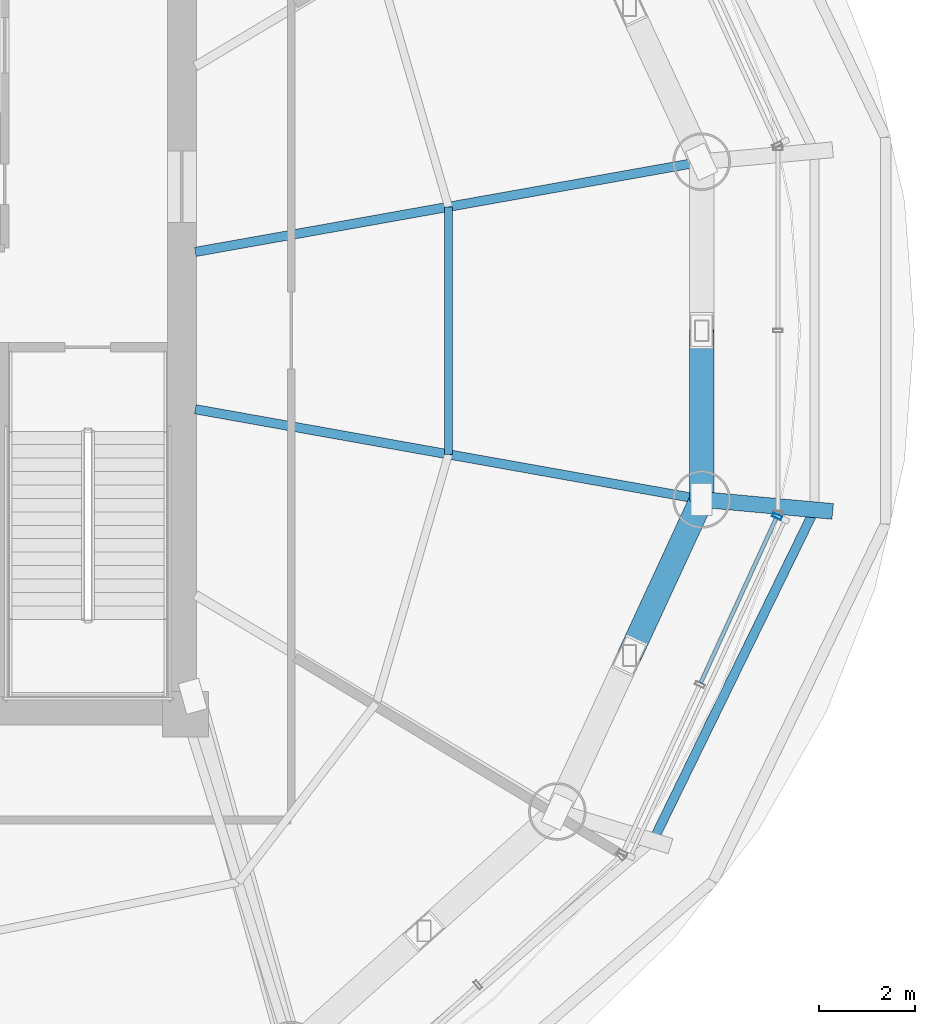
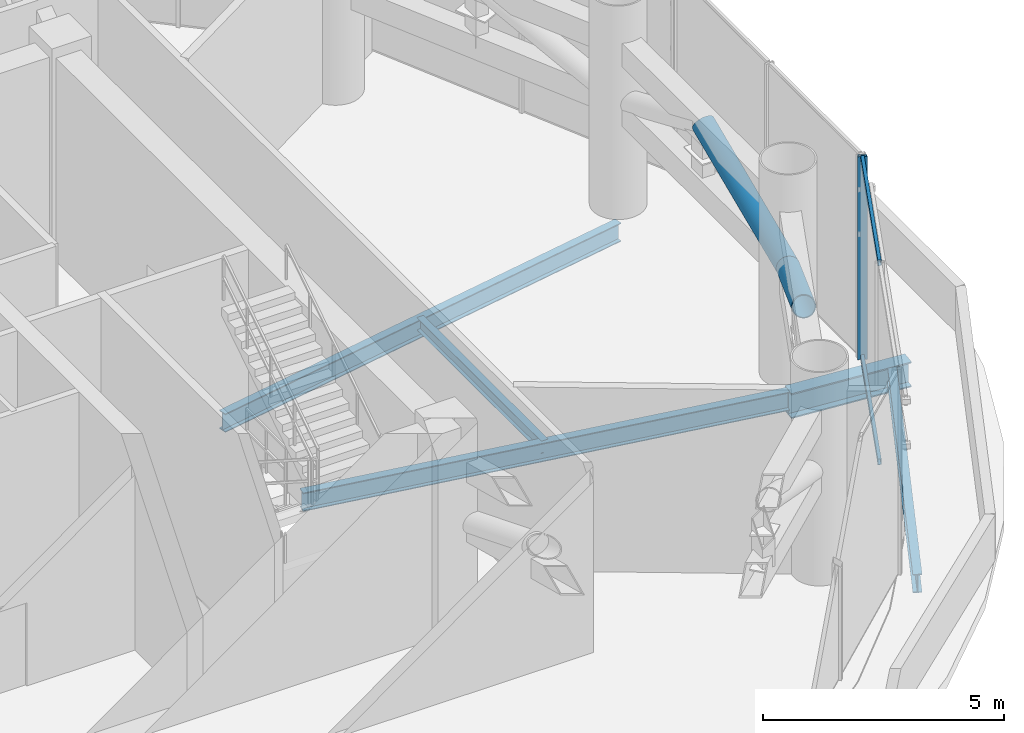
# One storey, part 11 of 25: 5 beams, 5 members, 1 element without a shape of its own.
"""IFC4 building model written with IfcOpenShell, lengths in metres."""

from ifc_helpers import new_model, si_unit, direction, frame, origin, origin_2d, place, context, subcontext, project, spatial, hollow_rectangle, hollow_circle, i_section, extrude, source, transform, mapped, material, material_profile, profile_set, type_object, element, aggregate, save


model = new_model("IFC4")

# Units and contexts
model_context = context("Model", 3, precision=1e-05, world=origin(), true_north=direction((-0.2419218956, 0.970295726276)))
body_context = subcontext(model_context, "Body", "Model", "MODEL_VIEW")
ifc_project = project(units=[si_unit("LENGTHUNIT", "METRE"), si_unit("AREAUNIT", "SQUARE_METRE"), si_unit("VOLUMEUNIT", "CUBIC_METRE"), si_unit("PLANEANGLEUNIT", "RADIAN"), si_unit("MASSUNIT", "GRAM", prefix="KILO")], contexts=[model_context])

# Site, building, storey
site_placement = place(None, origin())
site = spatial("IfcSite", under=ifc_project, at=site_placement, CompositionType="ELEMENT")
building_placement = place(site_placement, origin())
building = spatial("IfcBuilding", under=site, at=building_placement, Name="Cobrevalo Terracotta Tower", CompositionType="ELEMENT")
storey_placement = place(building_placement, frame((0.0, 0.0, 185.800048828125)))
storey = spatial("IfcBuildingStorey", under=building, at=storey_placement, Name="L49", CompositionType="ELEMENT", Elevation=185.800048828125)

# Beams
ifc_material_1 = material(Name="Steel S355", Category="steel")
ifc_material_profile_1 = material_profile(ifc_material_1, i_section(OverallWidth=0.194091796875, OverallDepth=0.468994140625, WebThickness=0.011474609375, FlangeThickness=0.0205078125, at=origin_2d()), Name="W 460x106")
ifc_profile_set_1 = profile_set([ifc_material_profile_1], Name="Steel S355")
beam_type_1 = type_object("IfcBeamType", Name="Structural Beam W 460x106 (Steel S355)", PredefinedType="BEAM", material=ifc_profile_set_1)
for number, where, z_axis, x_axis, name in (
    (1, (57.762939453125, 30.3212890625, -0.6845703125), (-0.984495741673, -0.175408479352, 0.0), (0.175408479352, -0.984495741673, 0.0), "L49 radial floor girder 01"),
    (2, (57.762939453125, 23.278564453125, -0.6845703125), (-0.984491810085, 0.175430544306, 0.0), (-0.175430544306, -0.984491810085, 0.0), "L49 radial floor girder 16"),
):
    element("IfcBeam", number, at=place(storey_placement, frame(where, z_axis=z_axis, x_axis=x_axis)), inside=storey, type_object=beam_type_1, Name=name, PredefinedType="BEAM", context=body_context, shape_type="SweptSolid", body=[
        extrude(i_section(OverallWidth=0.194091796875, OverallDepth=0.468994140625, WebThickness=0.011474609375, FlangeThickness=0.0205078125, at=origin_2d()), origin(), (0.0, 0.0, 1.0), 10.72412109375),
    ])
ifc_material_profile_2 = material_profile(ifc_material_1, i_section(OverallWidth=0.3291015625, OverallDepth=0.635009765625, WebThickness=0.017822265625, FlangeThickness=0.031005859375, at=origin_2d()), Name="W 610x241")
ifc_profile_set_2 = profile_set([ifc_material_profile_2], Name="Steel S355")
beam_type_2 = type_object("IfcBeamType", Name="Structural Beam W 610x241 (Steel S355)", PredefinedType="BEAM", material=ifc_profile_set_2)
beam_1_placement = place(storey_placement, frame((60.4951171875, 23.029541015625, -0.767578125), z_axis=(-0.995872026245, 0.090768427019, 0.0), x_axis=(-0.090768427019, -0.995872026245, 0.0)))
element("IfcBeam", 3, at=beam_1_placement, inside=storey, type_object=beam_type_2, Name="L49 setback step-link girder 16", PredefinedType="BEAM", context=body_context, shape_type="SweptSolid", body=[
    extrude(i_section(OverallWidth=0.3291015625, OverallDepth=0.635009765625, WebThickness=0.017822265625, FlangeThickness=0.031005859375, at=origin_2d()), origin(), (0.0, 0.0, 1.0), 2.743408203125),
])
ifc_material_profile_3 = material_profile(ifc_material_1, i_section(OverallWidth=0.1650390625, OverallDepth=0.31005859375, WebThickness=0.005859375, FlangeThickness=0.009765625, at=origin_2d()), Name="W 310x38.7")
ifc_profile_set_3 = profile_set([ifc_material_profile_3], Name="Steel S355")
beam_type_3 = type_object("IfcBeamType", Name="Structural Joist W 310x38.7 (Steel S355)", PredefinedType="JOIST", material=ifc_profile_set_3)
beam_2_placement = place(storey_placement, frame((52.48388671875, 24.21923828125, -0.60498046875), z_axis=(0.0, 1.0, 0.0), x_axis=(-1.0, 0.0, 0.0)))
element("IfcBeam", 4, at=beam_2_placement, inside=storey, type_object=beam_type_3, Name="L49 circumferential secondary floor joist 16", PredefinedType="JOIST", context=body_context, shape_type="SweptSolid", body=[
    extrude(i_section(OverallWidth=0.1650390625, OverallDepth=0.31005859375, WebThickness=0.005859375, FlangeThickness=0.009765625, at=origin_2d()), origin(), (0.0, 0.0, 1.0), 5.16162109375),
])
ifc_material_profile_4 = material_profile(ifc_material_1, i_section(OverallWidth=0.194091796875, OverallDepth=0.468994140625, WebThickness=0.011474609375, FlangeThickness=0.0205078125, at=origin_2d()), Name="W 460x106")
ifc_profile_set_4 = profile_set([ifc_material_profile_4], Name="Steel S355")
beam_type_4 = type_object("IfcBeamType", Name="Structural Spandrel W 460x106 (Steel S355)", PredefinedType="SPANDREL", material=ifc_profile_set_4)
beam_3_placement = place(storey_placement, frame((56.749755859375, 16.160888671875, -0.6845703125), z_axis=(0.438380418332, 0.898789524206, 0.0), x_axis=(-0.898789524206, 0.438380418332, 0.0)))
element("IfcBeam", 5, at=beam_3_placement, inside=storey, type_object=beam_type_4, Name="L49 perimeter ring spandrel 15", PredefinedType="SPANDREL", context=body_context, shape_type="SweptSolid", body=[
    extrude(i_section(OverallWidth=0.194091796875, OverallDepth=0.468994140625, WebThickness=0.011474609375, FlangeThickness=0.0205078125, at=origin_2d()), origin(), (0.0, 0.0, 1.0), 7.680419921875),
])

# Members
ifc_material_profile_5 = material_profile(ifc_material_1, hollow_circle(Radius=0.25390625, WallThickness=0.02001953125, at=origin_2d()), Name="CHS 508x20")
ifc_profile_set_5 = profile_set([ifc_material_profile_5], Name="Steel S355")
member_type_1 = type_object("IfcMemberType", Name="Steel Brace CHS 508x20 (Steel S355)", PredefinedType="BRACE", material=ifc_profile_set_5)
shared_shape_1 = source(origin(), body_context, "Body", "SweptSolid", [
    extrude(hollow_circle(Radius=0.25390625, WallThickness=0.02001953125, at=origin_2d()), origin(), (0.0, 0.0, 1.0), 3.82958984375),
])
member_1_placement = place(storey_placement, frame((57.762939453125, 23.278564453125, 2.64990234375), z_axis=(0.0, 0.919530386777, 0.393018915313), x_axis=(-1.0, 0.0, 0.0)))
element("IfcMember", 6, at=member_1_placement, inside=storey, type_object=member_type_1, Name="L49 belt truss diagonal brace 16-D1", PredefinedType="BRACE", context=body_context, shape_type="MappedRepresentation", body=[
    mapped(shared_shape_1, transform((0.0, 0.0, 0.0), scale=1.0)),
])
shared_shape_2 = source(origin(), body_context, "Body", "SweptSolid", [
    extrude(hollow_circle(Radius=0.25390625, WallThickness=0.02001953125, at=origin_2d()), origin(), (0.0, 0.0, 1.0), 3.887451171875),
])
member_2_placement = place(storey_placement, frame((57.762939453125, 23.278564453125, 2.64990234375), z_axis=(-0.386994119467, -0.836854372266, 0.387182529457), x_axis=(0.907648125928, -0.419731913844, 0.0)))
element("IfcMember", 7, at=member_2_placement, inside=storey, type_object=member_type_1, Name="L49 belt truss diagonal brace 15-D2", PredefinedType="BRACE", context=body_context, shape_type="MappedRepresentation", body=[
    mapped(shared_shape_2, transform((0.0, 0.0, 0.0), scale=1.0)),
])

# Curtain wall, members
ifc_material_2 = material(Name="Anodized aluminium", Category="aluminium")
curtain_wall_type = type_object("IfcCurtainWallType", Name="Belt-truss plant acoustic weather-louvre curtain wall CW-LV", PredefinedType="NOTDEFINED", material=ifc_material_2)
curtain_wall_placement = place(storey_placement, origin())
curtain_wall = element("IfcCurtainWall", 8, at=curtain_wall_placement, inside=storey, type_object=curtain_wall_type, Name="L49 curtain wall CW-LV-L49-S15", PredefinedType="NOTDEFINED")
ifc_material_profile_6 = material_profile(ifc_material_2, hollow_rectangle(XDim=0.074951171875, YDim=0.199951171875, WallThickness=0.0048828125, at=origin_2d()), Name="CWM 75x200")
ifc_profile_set_6 = profile_set([ifc_material_profile_6], Name="Anodized aluminium")
member_type_2 = type_object("IfcMemberType", Name="Lower/mid tower unitised mullion 75x200", PredefinedType="MULLION", material=ifc_profile_set_6)
shared_shape_3 = source(origin(), body_context, "Body", "SweptSolid", [
    extrude(hollow_rectangle(XDim=0.074951171875, YDim=0.199951171875, WallThickness=0.0048828125, at=origin_2d()), origin(), (0.0, 0.0, 1.0), 5.135009765625),
])
member_3_placement = place(storey_placement, frame((59.3349609375, 22.92626953125, 0.0), z_axis=(0.0, 0.0, 1.0), x_axis=(0.41672507912, 0.909032567311, 0.0)))
member_3 = element("IfcMember", 9, at=member_3_placement, type_object=member_type_2, Name="CW-LV-L49-S15 vertical mullion 03", PredefinedType="MULLION", context=body_context, shape_type="MappedRepresentation", body=[
    mapped(shared_shape_3, transform((0.0, 0.0, 0.0), scale=1.0)),
])
ifc_material_profile_7 = material_profile(ifc_material_2, hollow_rectangle(XDim=0.074951171875, YDim=0.14990234375, WallThickness=0.00439453125, at=origin_2d()), Name="CWT 75x150")
ifc_profile_set_7 = profile_set([ifc_material_profile_7], Name="Anodized aluminium")
member_type_3 = type_object("IfcMemberType", Name="Tower unitised aluminium transom 75x150", PredefinedType="USERDEFINED", material=ifc_profile_set_7)
shared_shape_4 = source(origin(), body_context, "Body", "SweptSolid", [
    extrude(hollow_rectangle(XDim=0.074951171875, YDim=0.14990234375, WallThickness=0.00439453125, at=origin_2d()), origin(), (0.0, 0.0, 1.0), 3.780029296875),
])
member_4_placement = place(storey_placement, frame((57.7431640625, 19.45361328125, 0.050048828125), z_axis=(0.416705859352, 0.909041377926, 0.0), x_axis=(-0.909041377926, 0.416705859352, 0.0)))
member_4 = element("IfcMember", 10, at=member_4_placement, type_object=member_type_3, Name="CW-LV-L49-S15 transom B02-T1", ObjectType="TRANSOM", PredefinedType="USERDEFINED", context=body_context, shape_type="MappedRepresentation", body=[
    mapped(shared_shape_4, transform((0.0, 0.0, 0.0), scale=1.0)),
])
member_5_placement = place(storey_placement, frame((57.7431640625, 19.45361328125, 5.0849609375), z_axis=(0.416705859352, 0.909041377926, 0.0), x_axis=(-0.909041377926, 0.416705859352, 0.0)))
member_5 = element("IfcMember", 11, at=member_5_placement, type_object=member_type_3, Name="CW-LV-L49-S15 transom B02-T2", ObjectType="TRANSOM", PredefinedType="USERDEFINED", context=body_context, shape_type="MappedRepresentation", body=[
    mapped(shared_shape_4, transform((0.0, 0.0, 0.0), scale=1.0)),
])
aggregate(curtain_wall, [member_3, member_4, member_5])

save(model, "model.ifc")
